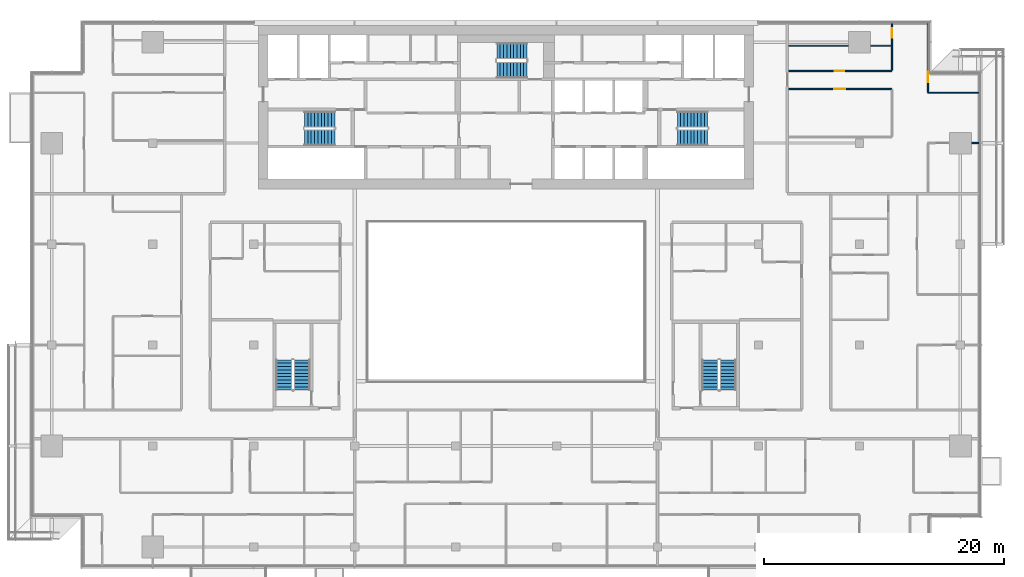
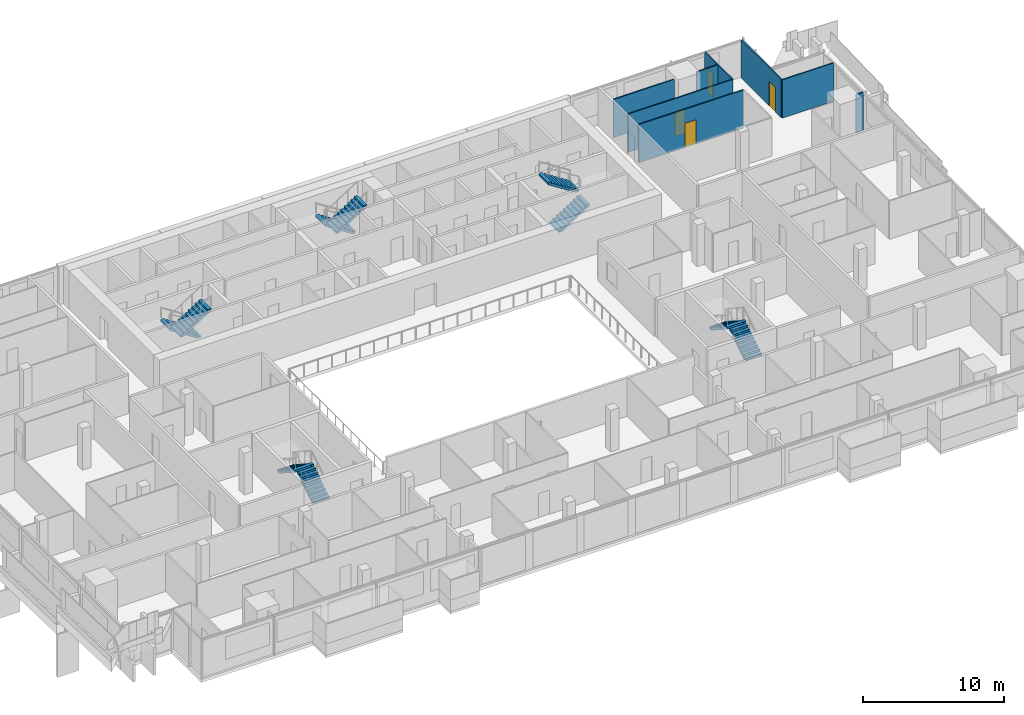
# One storey, part 25 of 30: 10 stair flights, 8 walls, 4 doors, 4 openings, 5 elements without a shape of their own.
"""IFC4 building model written with IfcOpenShell, lengths in metres."""

from ifc_helpers import new_model, si_unit, direction, frame, frame_2d, origin, place, context, subcontext, project, spatial, polyline, rectangle, outline, extrude, material, layer, layer_set, type_object, element, fill, aggregate, save


model = new_model("IFC4")

# Units and contexts
model_context = context("Model", 3, precision=1e-05, world=origin(), true_north=direction((0.0, 1.0)))
body_context = subcontext(model_context, "Body", "Model", "MODEL_VIEW")
ifc_project = project(units=[si_unit("LENGTHUNIT", "METRE"), si_unit("AREAUNIT", "SQUARE_METRE"), si_unit("VOLUMEUNIT", "CUBIC_METRE"), si_unit("PLANEANGLEUNIT", "RADIAN"), si_unit("MASSUNIT", "GRAM", prefix="KILO")], contexts=[model_context])

# Site, building, storey
site_placement = place(None, origin())
site = spatial("IfcSite", under=ifc_project, at=site_placement, CompositionType="ELEMENT")
building_placement = place(site_placement, origin())
building = spatial("IfcBuilding", under=site, at=building_placement, Name="Saffron Gate Tower", CompositionType="ELEMENT")
storey_placement = place(building_placement, frame((0.0, 0.0, 165.449951171875)))
storey = spatial("IfcBuildingStorey", under=building, at=storey_placement, Name="L40", CompositionType="ELEMENT", Elevation=165.449951171875)

# Walls
ifc_material_1 = material(Name="Plasterboard on steel studs", Category="steel")
ifc_layer = layer(ifc_material_1, 0.10009765625)
ifc_layer_set = layer_set([ifc_layer], Name="PW1 Partition 100")
wall_type = type_object("IfcWallType", Name="PW1 Partition 100", PredefinedType="PARTITIONING", material=ifc_layer_set)
wall_1_placement = place(storey_placement, frame((126.320068359375, 65.39990234375, 0.0), z_axis=(0.0, 0.0, 1.0), x_axis=(1.0, 0.0, 0.0)))
element("IfcWall", 1, at=wall_1_placement, inside=storey, type_object=wall_type, Name="Partition C2-48", PredefinedType="PARTITIONING", context=body_context, shape_type="SweptSolid", body=[
    extrude(rectangle(XDim=0.599853515625, YDim=0.10009765625, at=frame_2d((0.2998046875, 0.0))), origin(), (0.0, 0.0, 1.0), 3.320068359375),
])
wall_2_placement = place(storey_placement, frame((122.699951171875, 69.60009765625, 0.0), z_axis=(0.0, 0.0, 1.0), x_axis=(1.0, 0.0, 0.0)))
element("IfcWall", 2, at=wall_2_placement, inside=storey, type_object=wall_type, Name="Partition C2-54", PredefinedType="PARTITIONING", context=body_context, shape_type="SweptSolid", body=[
    extrude(rectangle(XDim=4.219970703125, YDim=0.10009765625, at=frame_2d((2.10986328125, 0.0))), origin(), (0.0, 0.0, 1.0), 3.320068359375),
])

# Wall, opening, door
wall_3_placement = place(storey_placement, frame((119.699951171875, 69.89990234375, 0.0), z_axis=(0.0, 0.0, 1.0), x_axis=(-1.0, 0.0, 0.0)))
wall_3 = element("IfcWall", 3, at=wall_3_placement, inside=storey, type_object=wall_type, Name="Partition C2-55", PredefinedType="PARTITIONING", context=body_context, shape_type="SweptSolid", body=[
    extrude(rectangle(XDim=8.599853515625, YDim=0.10009765625, at=frame_2d((4.2998046875, 0.0))), origin(), (0.0, 0.0, 1.0), 3.320068359375),
])
opening_1_placement = place(wall_3_placement, frame((3.89990234375, 0.0, 0.0)))
opening_1 = element("IfcOpeningElement", 4, at=opening_1_placement, cuts=wall_3, Name="Opening C2-36", PredefinedType="OPENING", context=body_context, shape_type="SweptSolid", body=[
    extrude(rectangle(XDim=0.89990234375, YDim=2.10009765625, at=frame_2d((0.449951171875, 1.050048828125))), frame((0.0, 0.06005859375, 0.0), z_axis=(0.0, -1.0, 0.0), x_axis=(1.0, 0.0, 0.0)), (0.0, 0.0, 1.0), 0.1201171875),
])
ifc_material_2 = material(Name="Timber door set", Category="wood")
door_type_1 = type_object("IfcDoorType", Name="RD1 Room door 900x2100", OperationType="NOTDEFINED", PredefinedType="DOOR", material=ifc_material_2)
door_1_placement = place(opening_1_placement, origin())
door_1 = element("IfcDoor", 5, at=door_1_placement, inside=storey, type_object=door_type_1, Name="Door C2-36", OperationType="SINGLE_SWING_RIGHT", OverallHeight=2.10009765625, OverallWidth=0.89990234375, PredefinedType="DOOR", context=body_context, shape_type="SweptSolid", body=[
    extrude(rectangle(XDim=0.89990234375, YDim=2.10009765625, at=frame_2d((0.449951171875, 1.050048828125))), frame((0.0, 0.02490234375, 0.0), z_axis=(0.0, -1.0, 0.0), x_axis=(1.0, 0.0, 0.0)), (0.0, 0.0, 1.0), 0.050048828125),
])
fill(opening_1, door_1)

wall_4_placement = place(storey_placement, frame((111.10009765625, 71.39990234375, 0.0), z_axis=(0.0, 0.0, 1.0), x_axis=(1.0, 0.0, 0.0)))
wall_4 = element("IfcWall", 6, at=wall_4_placement, inside=storey, type_object=wall_type, Name="Partition C2-57", PredefinedType="PARTITIONING", context=body_context, shape_type="SweptSolid", body=[
    extrude(rectangle(XDim=8.599853515625, YDim=0.10009765625, at=frame_2d((4.2998046875, 0.0))), origin(), (0.0, 0.0, 1.0), 3.320068359375),
])
opening_2_placement = place(wall_4_placement, frame((3.85009765625, 0.0, 0.0)))
opening_2 = element("IfcOpeningElement", 7, at=opening_2_placement, cuts=wall_4, Name="Opening C2-50", PredefinedType="OPENING", context=body_context, shape_type="SweptSolid", body=[
    extrude(rectangle(XDim=0.800048828125, YDim=2.10009765625, at=frame_2d((0.39990234375, 1.050048828125))), frame((0.0, 0.06005859375, 0.0), z_axis=(0.0, -1.0, 0.0), x_axis=(1.0, 0.0, 0.0)), (0.0, 0.0, 1.0), 0.1201171875),
])
door_type_2 = type_object("IfcDoorType", Name="RD2 Bathroom door 800x2100", OperationType="NOTDEFINED", PredefinedType="DOOR", material=ifc_material_2)
door_2_placement = place(opening_2_placement, origin())
door_2 = element("IfcDoor", 8, at=door_2_placement, inside=storey, type_object=door_type_2, Name="Door C2-50", OperationType="SINGLE_SWING_LEFT", OverallHeight=2.10009765625, OverallWidth=0.800048828125, PredefinedType="DOOR", context=body_context, shape_type="SweptSolid", body=[
    extrude(rectangle(XDim=0.800048828125, YDim=2.10009765625, at=frame_2d((0.39990234375, 1.050048828125))), frame((0.0, 0.02490234375, 0.0), z_axis=(0.0, -1.0, 0.0), x_axis=(1.0, 0.0, 0.0)), (0.0, 0.0, 1.0), 0.050048828125),
])
fill(opening_2, door_2)

# Walls
wall_5_placement = place(storey_placement, frame((111.10009765625, 73.5, 0.0), z_axis=(0.0, 0.0, 1.0), x_axis=(1.0, 0.0, 0.0)))
element("IfcWall", 9, at=wall_5_placement, inside=storey, type_object=wall_type, Name="Partition C2-58", PredefinedType="PARTITIONING", context=body_context, shape_type="SweptSolid", body=[
    extrude(rectangle(XDim=4.97998046875, YDim=0.10009765625, at=frame_2d((2.489990234375, 0.0))), origin(), (0.0, 0.0, 1.0), 3.320068359375),
])
wall_6_placement = place(storey_placement, frame((117.919921875, 73.5, 0.0), z_axis=(0.0, 0.0, 1.0), x_axis=(1.0, 0.0, 0.0)))
element("IfcWall", 10, at=wall_6_placement, inside=storey, type_object=wall_type, Name="Partition C2-59", PredefinedType="PARTITIONING", context=body_context, shape_type="SweptSolid", body=[
    extrude(rectangle(XDim=1.72998046875, YDim=0.10009765625, at=frame_2d((0.864990234375, 0.0))), origin(), (0.0, 0.0, 1.0), 3.320068359375),
])

# Wall, opening, door
wall_7_placement = place(storey_placement, frame((119.699951171875, 71.449951171875, 0.0), z_axis=(0.0, 0.0, 1.0), x_axis=(0.0, 1.0, 0.0)))
wall_7 = element("IfcWall", 11, at=wall_7_placement, inside=storey, type_object=wall_type, Name="Partition C2-113", PredefinedType="PARTITIONING", context=body_context, shape_type="SweptSolid", body=[
    extrude(rectangle(XDim=3.8701171875, YDim=0.10009765625, at=frame_2d((1.93505859375, 0.0))), origin(), (0.0, 0.0, 1.0), 3.320068359375),
])
opening_3_placement = place(wall_7_placement, frame((2.699951171875, 0.0, 0.0)))
opening_3 = element("IfcOpeningElement", 12, at=opening_3_placement, cuts=wall_7, Name="Opening C2-51", PredefinedType="OPENING", context=body_context, shape_type="SweptSolid", body=[
    extrude(rectangle(XDim=0.800048828125, YDim=2.10009765625, at=frame_2d((0.39990234375, 1.050048828125))), frame((0.0, 0.06005859375, 0.0), z_axis=(0.0, -1.0, 0.0), x_axis=(1.0, 0.0, 0.0)), (0.0, 0.0, 1.0), 0.1201171875),
])
door_3_placement = place(opening_3_placement, origin())
door_3 = element("IfcDoor", 13, at=door_3_placement, inside=storey, type_object=door_type_2, Name="Door C2-51", OperationType="SINGLE_SWING_RIGHT", OverallHeight=2.10009765625, OverallWidth=0.800048828125, PredefinedType="DOOR", context=body_context, shape_type="SweptSolid", body=[
    extrude(rectangle(XDim=0.800048828125, YDim=2.10009765625, at=frame_2d((0.39990234375, 1.050048828125))), frame((0.0, 0.02490234375, 0.0), z_axis=(0.0, -1.0, 0.0), x_axis=(1.0, 0.0, 0.0)), (0.0, 0.0, 1.0), 0.050048828125),
])
fill(opening_3, door_3)

wall_8_placement = place(storey_placement, frame((122.699951171875, 75.320068359375, 0.0), z_axis=(0.0, 0.0, 1.0), x_axis=(0.0, -1.0, 0.0)))
wall_8 = element("IfcWall", 14, at=wall_8_placement, inside=storey, type_object=wall_type, Name="Partition C2-119", PredefinedType="PARTITIONING", context=body_context, shape_type="SweptSolid", body=[
    extrude(rectangle(XDim=5.670166015625, YDim=0.10009765625, at=frame_2d((2.8349609375, 0.0))), origin(), (0.0, 0.0, 1.0), 3.320068359375),
])
opening_4_placement = place(wall_8_placement, frame((3.96630859375, 0.0, 0.0)))
opening_4 = element("IfcOpeningElement", 15, at=opening_4_placement, cuts=wall_8, Name="Opening C2-35", PredefinedType="OPENING", context=body_context, shape_type="SweptSolid", body=[
    extrude(rectangle(XDim=0.89990234375, YDim=2.10009765625, at=frame_2d((0.449951171875, 1.050048828125))), frame((0.0, 0.06005859375, 0.0), z_axis=(0.0, -1.0, 0.0), x_axis=(1.0, 0.0, 0.0)), (0.0, 0.0, 1.0), 0.1201171875),
])
door_4_placement = place(opening_4_placement, origin())
door_4 = element("IfcDoor", 16, at=door_4_placement, inside=storey, type_object=door_type_1, Name="Door C2-35", OperationType="SINGLE_SWING_RIGHT", OverallHeight=2.10009765625, OverallWidth=0.89990234375, PredefinedType="DOOR", context=body_context, shape_type="SweptSolid", body=[
    extrude(rectangle(XDim=0.89990234375, YDim=2.10009765625, at=frame_2d((0.449951171875, 1.050048828125))), frame((0.0, 0.02490234375, 0.0), z_axis=(0.0, -1.0, 0.0), x_axis=(1.0, 0.0, 0.0)), (0.0, 0.0, 1.0), 0.050048828125),
])
fill(opening_4, door_4)

# Stair, stair flights
ifc_material_3 = material(Name="Concrete C40", Category="concrete")
stair_type = type_object("IfcStairType", Name="ST7 Stair 1350 wide, 20 risers of 180", PredefinedType="HALF_TURN_STAIR", material=ifc_material_3)
stair_1_placement = place(storey_placement, origin())
stair_1 = element("IfcStair", 17, at=stair_1_placement, inside=storey, type_object=stair_type, Name="L40 Exit stair A", PredefinedType="HALF_TURN_STAIR")
stair_flight_type = type_object("IfcStairFlightType", Name="SF3 Stair flight 1350 wide, riser 180 going 280", PredefinedType="STRAIGHT", material=ifc_material_3)
stair_flight_1_placement = place(storey_placement, frame((73.35009765625, 67.375, 0.0), z_axis=(0.0, 0.0, 1.0), x_axis=(-1.0, 0.0, 0.0)))
stair_flight_1 = element("IfcStairFlight", 18, at=stair_flight_1_placement, type_object=stair_flight_type, Name="ST-A flight 1", NumberOfRisers=10, NumberOfTreads=9, PredefinedType="STRAIGHT", RiserHeight=0.18, TreadLength=0.28, context=body_context, shape_type="SweptSolid", body=[
    extrude(outline(polyline([(0.0, 0.0), (0.0, 0.179931640625), (0.280029296875, 0.179931640625), (0.280029296875, 0.360107421875), (0.56005859375, 0.360107421875), (0.56005859375, 0.5400390625), (0.840087890625, 0.5400390625), (0.840087890625, 0.719970703125), (1.1201171875, 0.719970703125), (1.1201171875, 0.89990234375), (1.39990234375, 0.89990234375), (1.39990234375, 1.080078125), (1.679931640625, 1.080078125), (1.679931640625, 1.260009765625), (1.9599609375, 1.260009765625), (1.9599609375, 1.43994140625), (2.239990234375, 1.43994140625), (2.239990234375, 1.6201171875), (2.52001953125, 1.6201171875), (2.52001953125, 1.800048828125), (2.52001953125, 1.44189453125), (0.277099609375, 0.0), (0.0, 0.0)])), frame((0.0, 0.675048828125, 0.0), z_axis=(0.0, -1.0, 0.0), x_axis=(1.0, 0.0, 0.0)), (0.0, 0.0, 1.0), 1.35009765625),
])
stair_flight_2_placement = place(storey_placement, frame((70.830078125, 65.875, 1.800048828125), z_axis=(0.0, 0.0, 1.0), x_axis=(1.0, 0.0, 0.0)))
stair_flight_2 = element("IfcStairFlight", 19, at=stair_flight_2_placement, type_object=stair_flight_type, Name="ST-A flight 2", NumberOfRisers=10, NumberOfTreads=9, PredefinedType="STRAIGHT", RiserHeight=0.18, TreadLength=0.28, context=body_context, shape_type="SweptSolid", body=[
    extrude(outline(polyline([(0.0, 0.0), (0.0, 0.179931640625), (0.280029296875, 0.179931640625), (0.280029296875, 0.360107421875), (0.56005859375, 0.360107421875), (0.56005859375, 0.5400390625), (0.840087890625, 0.5400390625), (0.840087890625, 0.719970703125), (1.1201171875, 0.719970703125), (1.1201171875, 0.89990234375), (1.39990234375, 0.89990234375), (1.39990234375, 1.080078125), (1.679931640625, 1.080078125), (1.679931640625, 1.260009765625), (1.9599609375, 1.260009765625), (1.9599609375, 1.43994140625), (2.239990234375, 1.43994140625), (2.239990234375, 1.6201171875), (2.52001953125, 1.6201171875), (2.52001953125, 1.800048828125), (2.52001953125, 1.44189453125), (0.277099609375, 0.0), (0.0, 0.0)])), frame((0.0, 0.675048828125, 0.0), z_axis=(0.0, -1.0, 0.0), x_axis=(1.0, 0.0, 0.0)), (0.0, 0.0, 1.0), 1.35009765625),
])
aggregate(stair_1, [stair_flight_1, stair_flight_2])

stair_2_placement = place(storey_placement, origin())
stair_2 = element("IfcStair", 20, at=stair_2_placement, inside=storey, type_object=stair_type, Name="L40 Exit stair B", PredefinedType="HALF_TURN_STAIR")
stair_flight_3_placement = place(storey_placement, frame((101.85009765625, 65.875, 0.0), z_axis=(0.0, 0.0, 1.0), x_axis=(1.0, 0.0, 0.0)))
stair_flight_3 = element("IfcStairFlight", 21, at=stair_flight_3_placement, type_object=stair_flight_type, Name="ST-B flight 1", NumberOfRisers=10, NumberOfTreads=9, PredefinedType="STRAIGHT", RiserHeight=0.18, TreadLength=0.28, context=body_context, shape_type="SweptSolid", body=[
    extrude(outline(polyline([(0.0, 0.0), (0.0, 0.179931640625), (0.280029296875, 0.179931640625), (0.280029296875, 0.360107421875), (0.56005859375, 0.360107421875), (0.56005859375, 0.5400390625), (0.840087890625, 0.5400390625), (0.840087890625, 0.719970703125), (1.1201171875, 0.719970703125), (1.1201171875, 0.89990234375), (1.39990234375, 0.89990234375), (1.39990234375, 1.080078125), (1.679931640625, 1.080078125), (1.679931640625, 1.260009765625), (1.9599609375, 1.260009765625), (1.9599609375, 1.43994140625), (2.239990234375, 1.43994140625), (2.239990234375, 1.6201171875), (2.52001953125, 1.6201171875), (2.52001953125, 1.800048828125), (2.52001953125, 1.44189453125), (0.277099609375, 0.0), (0.0, 0.0)])), frame((0.0, 0.675048828125, 0.0), z_axis=(0.0, -1.0, 0.0), x_axis=(1.0, 0.0, 0.0)), (0.0, 0.0, 1.0), 1.35009765625),
])
stair_flight_4_placement = place(storey_placement, frame((104.3701171875, 67.375, 1.800048828125), z_axis=(0.0, 0.0, 1.0), x_axis=(-1.0, 0.0, 0.0)))
stair_flight_4 = element("IfcStairFlight", 22, at=stair_flight_4_placement, type_object=stair_flight_type, Name="ST-B flight 2", NumberOfRisers=10, NumberOfTreads=9, PredefinedType="STRAIGHT", RiserHeight=0.18, TreadLength=0.28, context=body_context, shape_type="SweptSolid", body=[
    extrude(outline(polyline([(0.0, 0.0), (0.0, 0.179931640625), (0.280029296875, 0.179931640625), (0.280029296875, 0.360107421875), (0.56005859375, 0.360107421875), (0.56005859375, 0.5400390625), (0.840087890625, 0.5400390625), (0.840087890625, 0.719970703125), (1.1201171875, 0.719970703125), (1.1201171875, 0.89990234375), (1.39990234375, 0.89990234375), (1.39990234375, 1.080078125), (1.679931640625, 1.080078125), (1.679931640625, 1.260009765625), (1.9599609375, 1.260009765625), (1.9599609375, 1.43994140625), (2.239990234375, 1.43994140625), (2.239990234375, 1.6201171875), (2.52001953125, 1.6201171875), (2.52001953125, 1.800048828125), (2.52001953125, 1.44189453125), (0.277099609375, 0.0), (0.0, 0.0)])), frame((0.0, 0.675048828125, 0.0), z_axis=(0.0, -1.0, 0.0), x_axis=(1.0, 0.0, 0.0)), (0.0, 0.0, 1.0), 1.35009765625),
])
aggregate(stair_2, [stair_flight_3, stair_flight_4])

stair_3_placement = place(storey_placement, origin())
stair_3 = element("IfcStair", 23, at=stair_3_placement, inside=storey, type_object=stair_type, Name="L40 Exit stair C", PredefinedType="HALF_TURN_STAIR")
stair_flight_5_placement = place(storey_placement, frame((89.35009765625, 73.074951171875, 0.0), z_axis=(0.0, 0.0, 1.0), x_axis=(-1.0, 0.0, 0.0)))
stair_flight_5 = element("IfcStairFlight", 24, at=stair_flight_5_placement, type_object=stair_flight_type, Name="ST-C flight 1", NumberOfRisers=10, NumberOfTreads=9, PredefinedType="STRAIGHT", RiserHeight=0.18, TreadLength=0.28, context=body_context, shape_type="SweptSolid", body=[
    extrude(outline(polyline([(0.0, 0.0), (0.0, 0.179931640625), (0.280029296875, 0.179931640625), (0.280029296875, 0.360107421875), (0.56005859375, 0.360107421875), (0.56005859375, 0.5400390625), (0.840087890625, 0.5400390625), (0.840087890625, 0.719970703125), (1.1201171875, 0.719970703125), (1.1201171875, 0.89990234375), (1.39990234375, 0.89990234375), (1.39990234375, 1.080078125), (1.679931640625, 1.080078125), (1.679931640625, 1.260009765625), (1.9599609375, 1.260009765625), (1.9599609375, 1.43994140625), (2.239990234375, 1.43994140625), (2.239990234375, 1.6201171875), (2.52001953125, 1.6201171875), (2.52001953125, 1.800048828125), (2.52001953125, 1.44189453125), (0.277099609375, 0.0), (0.0, 0.0)])), frame((0.0, 0.675048828125, 0.0), z_axis=(0.0, -1.0, 0.0), x_axis=(1.0, 0.0, 0.0)), (0.0, 0.0, 1.0), 1.35009765625),
])
stair_flight_6_placement = place(storey_placement, frame((86.830078125, 71.47509765625, 1.800048828125), z_axis=(0.0, 0.0, 1.0), x_axis=(1.0, 0.0, 0.0)))
stair_flight_6 = element("IfcStairFlight", 25, at=stair_flight_6_placement, type_object=stair_flight_type, Name="ST-C flight 2", NumberOfRisers=10, NumberOfTreads=9, PredefinedType="STRAIGHT", RiserHeight=0.18, TreadLength=0.28, context=body_context, shape_type="SweptSolid", body=[
    extrude(outline(polyline([(0.0, 0.0), (0.0, 0.179931640625), (0.280029296875, 0.179931640625), (0.280029296875, 0.360107421875), (0.56005859375, 0.360107421875), (0.56005859375, 0.5400390625), (0.840087890625, 0.5400390625), (0.840087890625, 0.719970703125), (1.1201171875, 0.719970703125), (1.1201171875, 0.89990234375), (1.39990234375, 0.89990234375), (1.39990234375, 1.080078125), (1.679931640625, 1.080078125), (1.679931640625, 1.260009765625), (1.9599609375, 1.260009765625), (1.9599609375, 1.43994140625), (2.239990234375, 1.43994140625), (2.239990234375, 1.6201171875), (2.52001953125, 1.6201171875), (2.52001953125, 1.800048828125), (2.52001953125, 1.44189453125), (0.277099609375, 0.0), (0.0, 0.0)])), frame((0.0, 0.675048828125, 0.0), z_axis=(0.0, -1.0, 0.0), x_axis=(1.0, 0.0, 0.0)), (0.0, 0.0, 1.0), 1.35009765625),
])
aggregate(stair_3, [stair_flight_5, stair_flight_6])

stair_4_placement = place(storey_placement, origin())
stair_4 = element("IfcStair", 26, at=stair_4_placement, inside=storey, type_object=stair_type, Name="L40 Exit stair D", PredefinedType="HALF_TURN_STAIR")
stair_flight_7_placement = place(storey_placement, frame((70.625, 44.85009765625, 0.0), z_axis=(0.0, 0.0, 1.0), x_axis=(0.0, 1.0, 0.0)))
stair_flight_7 = element("IfcStairFlight", 27, at=stair_flight_7_placement, type_object=stair_flight_type, Name="ST-D flight 1", NumberOfRisers=10, NumberOfTreads=9, PredefinedType="STRAIGHT", RiserHeight=0.18, TreadLength=0.28, context=body_context, shape_type="SweptSolid", body=[
    extrude(outline(polyline([(0.0, 0.0), (0.0, 0.179931640625), (0.280029296875, 0.179931640625), (0.280029296875, 0.360107421875), (0.56005859375, 0.360107421875), (0.56005859375, 0.5400390625), (0.840087890625, 0.5400390625), (0.840087890625, 0.719970703125), (1.1201171875, 0.719970703125), (1.1201171875, 0.89990234375), (1.39990234375, 0.89990234375), (1.39990234375, 1.080078125), (1.679931640625, 1.080078125), (1.679931640625, 1.260009765625), (1.9599609375, 1.260009765625), (1.9599609375, 1.43994140625), (2.239990234375, 1.43994140625), (2.239990234375, 1.6201171875), (2.52001953125, 1.6201171875), (2.52001953125, 1.800048828125), (2.52001953125, 1.44189453125), (0.277099609375, 0.0), (0.0, 0.0)])), frame((0.0, 0.675048828125, 0.0), z_axis=(0.0, -1.0, 0.0), x_axis=(1.0, 0.0, 0.0)), (0.0, 0.0, 1.0), 1.35009765625),
])
stair_flight_8_placement = place(storey_placement, frame((69.125, 47.3701171875, 1.800048828125), z_axis=(0.0, 0.0, 1.0), x_axis=(0.0, -1.0, 0.0)))
stair_flight_8 = element("IfcStairFlight", 28, at=stair_flight_8_placement, type_object=stair_flight_type, Name="ST-D flight 2", NumberOfRisers=10, NumberOfTreads=9, PredefinedType="STRAIGHT", RiserHeight=0.18, TreadLength=0.28, context=body_context, shape_type="SweptSolid", body=[
    extrude(outline(polyline([(0.0, 0.0), (0.0, 0.179931640625), (0.280029296875, 0.179931640625), (0.280029296875, 0.360107421875), (0.56005859375, 0.360107421875), (0.56005859375, 0.5400390625), (0.840087890625, 0.5400390625), (0.840087890625, 0.719970703125), (1.1201171875, 0.719970703125), (1.1201171875, 0.89990234375), (1.39990234375, 0.89990234375), (1.39990234375, 1.080078125), (1.679931640625, 1.080078125), (1.679931640625, 1.260009765625), (1.9599609375, 1.260009765625), (1.9599609375, 1.43994140625), (2.239990234375, 1.43994140625), (2.239990234375, 1.6201171875), (2.52001953125, 1.6201171875), (2.52001953125, 1.800048828125), (2.52001953125, 1.44189453125), (0.277099609375, 0.0), (0.0, 0.0)])), frame((0.0, 0.675048828125, 0.0), z_axis=(0.0, -1.0, 0.0), x_axis=(1.0, 0.0, 0.0)), (0.0, 0.0, 1.0), 1.35009765625),
])
aggregate(stair_4, [stair_flight_7, stair_flight_8])

stair_5_placement = place(storey_placement, origin())
stair_5 = element("IfcStair", 29, at=stair_5_placement, inside=storey, type_object=stair_type, Name="L40 Exit stair E", PredefinedType="HALF_TURN_STAIR")
stair_flight_9_placement = place(storey_placement, frame((106.074951171875, 44.85009765625, 0.0), z_axis=(0.0, 0.0, 1.0), x_axis=(0.0, 1.0, 0.0)))
stair_flight_9 = element("IfcStairFlight", 30, at=stair_flight_9_placement, type_object=stair_flight_type, Name="ST-E flight 1", NumberOfRisers=10, NumberOfTreads=9, PredefinedType="STRAIGHT", RiserHeight=0.18, TreadLength=0.28, context=body_context, shape_type="SweptSolid", body=[
    extrude(outline(polyline([(0.0, 0.0), (0.0, 0.179931640625), (0.280029296875, 0.179931640625), (0.280029296875, 0.360107421875), (0.56005859375, 0.360107421875), (0.56005859375, 0.5400390625), (0.840087890625, 0.5400390625), (0.840087890625, 0.719970703125), (1.1201171875, 0.719970703125), (1.1201171875, 0.89990234375), (1.39990234375, 0.89990234375), (1.39990234375, 1.080078125), (1.679931640625, 1.080078125), (1.679931640625, 1.260009765625), (1.9599609375, 1.260009765625), (1.9599609375, 1.43994140625), (2.239990234375, 1.43994140625), (2.239990234375, 1.6201171875), (2.52001953125, 1.6201171875), (2.52001953125, 1.800048828125), (2.52001953125, 1.44189453125), (0.277099609375, 0.0), (0.0, 0.0)])), frame((0.0, 0.675048828125, 0.0), z_axis=(0.0, -1.0, 0.0), x_axis=(1.0, 0.0, 0.0)), (0.0, 0.0, 1.0), 1.35009765625),
])
stair_flight_10_placement = place(storey_placement, frame((104.574951171875, 47.3701171875, 1.800048828125), z_axis=(0.0, 0.0, 1.0), x_axis=(0.0, -1.0, 0.0)))
stair_flight_10 = element("IfcStairFlight", 31, at=stair_flight_10_placement, type_object=stair_flight_type, Name="ST-E flight 2", NumberOfRisers=10, NumberOfTreads=9, PredefinedType="STRAIGHT", RiserHeight=0.18, TreadLength=0.28, context=body_context, shape_type="SweptSolid", body=[
    extrude(outline(polyline([(0.0, 0.0), (0.0, 0.179931640625), (0.280029296875, 0.179931640625), (0.280029296875, 0.360107421875), (0.56005859375, 0.360107421875), (0.56005859375, 0.5400390625), (0.840087890625, 0.5400390625), (0.840087890625, 0.719970703125), (1.1201171875, 0.719970703125), (1.1201171875, 0.89990234375), (1.39990234375, 0.89990234375), (1.39990234375, 1.080078125), (1.679931640625, 1.080078125), (1.679931640625, 1.260009765625), (1.9599609375, 1.260009765625), (1.9599609375, 1.43994140625), (2.239990234375, 1.43994140625), (2.239990234375, 1.6201171875), (2.52001953125, 1.6201171875), (2.52001953125, 1.800048828125), (2.52001953125, 1.44189453125), (0.277099609375, 0.0), (0.0, 0.0)])), frame((0.0, 0.675048828125, 0.0), z_axis=(0.0, -1.0, 0.0), x_axis=(1.0, 0.0, 0.0)), (0.0, 0.0, 1.0), 1.35009765625),
])
aggregate(stair_5, [stair_flight_9, stair_flight_10])

save(model, "model.ifc")
